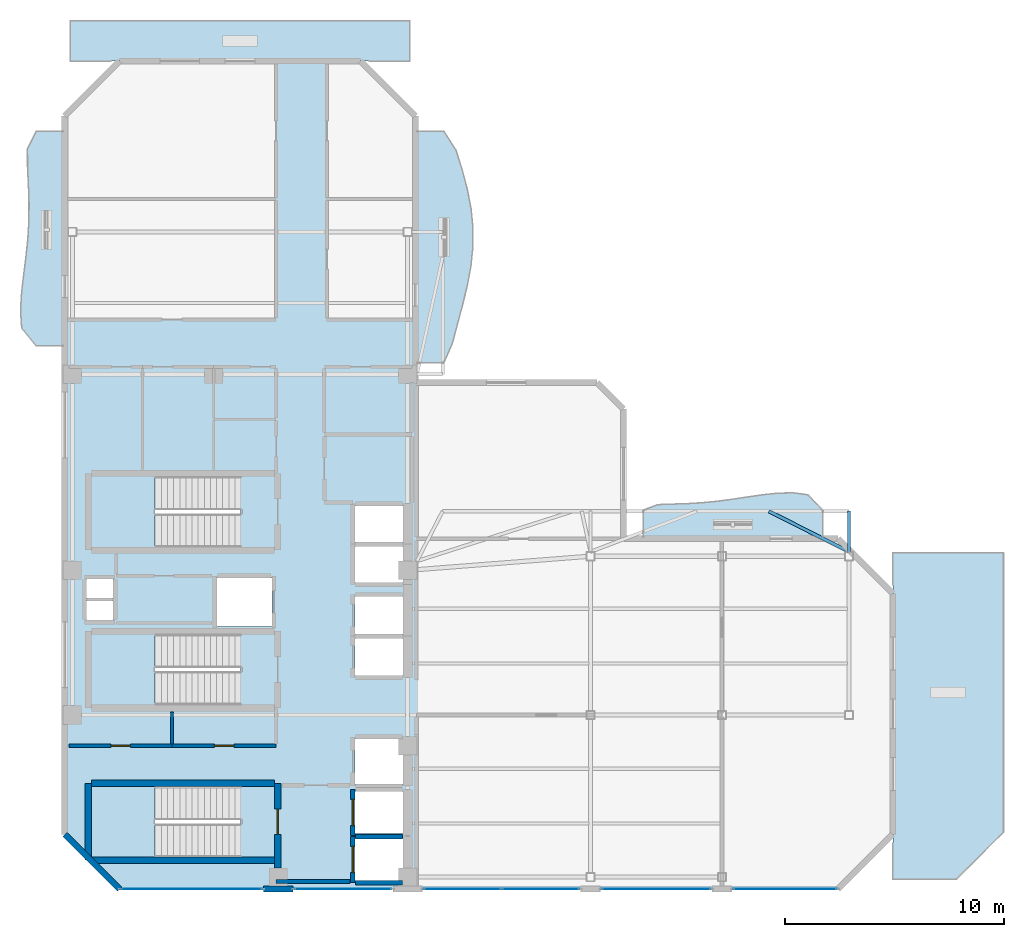
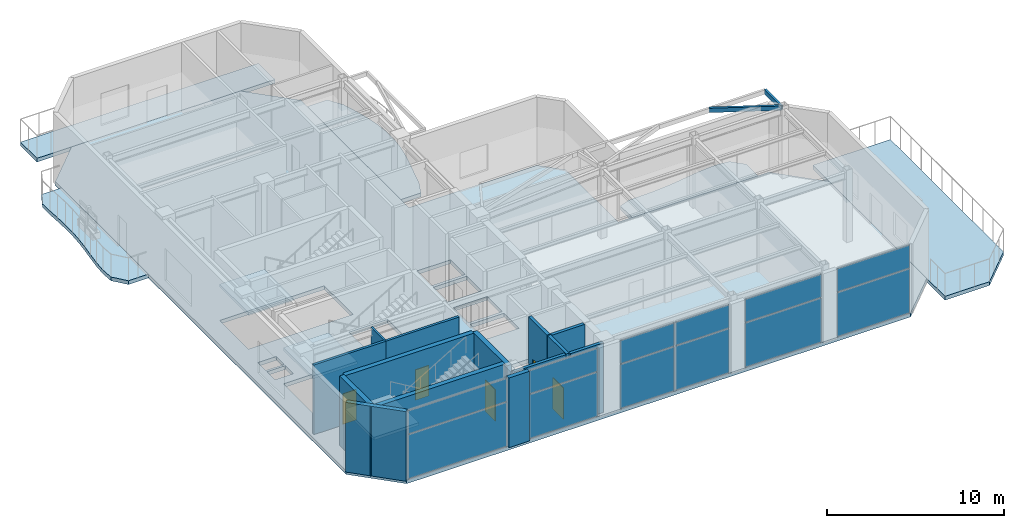
# One storey, part 8 of 14: 14 walls, 12 plates, 9 slabs, 5 doors, 2 beams, 5 openings, 8 elements without a shape of their own.
"""IFC4 building model written with IfcOpenShell, lengths in metres."""

from ifc_helpers import new_model, si_unit, direction, frame, frame_2d, origin, origin_2d, place, context, subcontext, project, spatial, polyline, rectangle, hollow_rectangle, outline, extrude, material, layer, layer_set, material_profile, profile_set, type_object, element, fill, aggregate, save


model = new_model("IFC4")

# Units and contexts
model_context = context("Model", 3, precision=1e-05, world=origin(), true_north=direction((0.0, 1.0)))
body_context = subcontext(model_context, "Body", "Model", "MODEL_VIEW")
ifc_project = project(units=[si_unit("LENGTHUNIT", "METRE"), si_unit("AREAUNIT", "SQUARE_METRE"), si_unit("VOLUMEUNIT", "CUBIC_METRE"), si_unit("PLANEANGLEUNIT", "RADIAN"), si_unit("MASSUNIT", "GRAM", prefix="KILO")], contexts=[model_context])

# Site, building, storey
site_placement = place(None, origin())
site = spatial("IfcSite", under=ifc_project, at=site_placement, CompositionType="ELEMENT")
building_placement = place(site_placement, origin())
building = spatial("IfcBuilding", under=site, at=building_placement, Name="Mawjaban Terraces University", CompositionType="ELEMENT")
storey_placement = place(building_placement, frame((0.0, 0.0, 243.199951171875)))
storey = spatial("IfcBuildingStorey", under=building, at=storey_placement, Name="L59", CompositionType="ELEMENT", Elevation=243.199951171875)

# Beams
ifc_material_1 = material(Name="Steel EN 10210-1 S355J2H", Category="steel")
ifc_material_profile = material_profile(ifc_material_1, hollow_rectangle(XDim=0.14990234375, YDim=0.300048828125, WallThickness=0.012451171875, at=origin_2d()), Name="RHS300X150X12.5")
ifc_profile_set = profile_set([ifc_material_profile], Name="Steel EN 10210-1 S355J2H")
beam_type = type_object("IfcBeamType", Name="BalconyCantileverSpandrel_RHS", PredefinedType="SPANDREL", material=ifc_profile_set)
beam_1_placement = place(storey_placement, frame((57.800048828125, 15.39990234375, 4.64013671875), z_axis=(0.0, 1.0, 0.0), x_axis=(-1.0, 0.0, 0.0)))
element("IfcBeam", 1, at=beam_1_placement, inside=storey, type_object=beam_type, Name="L59 Exterior Outrigger BAL-L60-N.2", PredefinedType="SPANDREL", context=body_context, shape_type="SweptSolid", body=[
    extrude(hollow_rectangle(XDim=0.14990234375, YDim=0.300048828125, WallThickness=0.012451171875, at=origin_2d()), origin(), (0.0, 0.0, 1.0), 1.85009765625),
])
beam_2_placement = place(storey_placement, frame((57.800048828125, 15.39990234375, 4.64013671875), z_axis=(-0.89246609867, 0.451114467431, 0.0), x_axis=(-0.451114467431, -0.89246609867, 0.0)))
element("IfcBeam", 2, at=beam_2_placement, inside=storey, type_object=beam_type, Name="L59 Exterior Diagonal Strut BAL-L60-N.2", PredefinedType="SPANDREL", context=body_context, shape_type="SweptSolid", body=[
    extrude(hollow_rectangle(XDim=0.14990234375, YDim=0.300048828125, WallThickness=0.012451171875, at=origin_2d()), origin(), (0.0, 0.0, 1.0), 4.10107421875),
])

# Slabs
ifc_material_2 = material(Name="Concrete C40/50", Category="concrete")
ifc_layer_1 = layer(ifc_material_2, 0.260009765625)
ifc_layer_set_1 = layer_set([ifc_layer_1], Name="Concrete C40/50")
slab_type_1 = type_object("IfcSlabType", Name="BalconySlab_260_Ext", PredefinedType="FLOOR", material=ifc_layer_set_1)
slab_1_placement = place(storey_placement, frame((0.0, 0.0, -0.260009765625)))
element("IfcSlab", 3, at=slab_1_placement, inside=storey, type_object=slab_type_1, Name="L59 Planted Balcony Slab west", PredefinedType="FLOOR", context=body_context, shape_type="SweptSolid", body=[
    extrude(outline(polyline([(22.010009765625, 24.800048828125), (22.010009765625, 34.60009765625), (20.699951171875, 34.60009765625), (20.297119140625, 33.782958984375), (20.300048828125, 32.967041015625), (20.340087890625, 32.14990234375), (20.368896484375, 31.3330078125), (20.363037109375, 30.51708984375), (20.31591796875, 29.699951171875), (20.23095703125, 28.883056640625), (20.126953125, 28.06689453125), (20.031005859375, 27.25), (19.98095703125, 26.43310546875), (20.032958984375, 25.616943359375), (20.699951171875, 24.800048828125), (22.010009765625, 24.800048828125)])), origin(), (0.0, 0.0, 1.0), 0.260009765625),
])
slab_2_placement = place(storey_placement, frame((0.0, 0.0, -0.260009765625)))
element("IfcSlab", 4, at=slab_2_placement, inside=storey, type_object=slab_type_1, Name="L59 Planted Balcony Slab inner_north", PredefinedType="FLOOR", context=body_context, shape_type="SweptSolid", body=[
    extrude(outline(polyline([(48.39990234375, 15.989990234375), (56.60009765625, 15.989990234375), (56.60009765625, 17.300048828125), (55.9169921875, 18.0029296875), (55.23291015625, 18.090087890625), (54.550048828125, 18.073974609375), (53.866943359375, 18.001953125), (53.18310546875, 17.904052734375), (52.5, 17.800048828125), (51.81689453125, 17.708984375), (51.133056640625, 17.64111328125), (50.449951171875, 17.59912109375), (49.76708984375, 17.576904296875), (49.0830078125, 17.552001953125), (48.39990234375, 17.300048828125), (48.39990234375, 15.989990234375)])), origin(), (0.0, 0.0, 1.0), 0.260009765625),
])
slab_3_placement = place(storey_placement, frame((0.0, 0.0, -0.260009765625)))
element("IfcSlab", 5, at=slab_3_placement, inside=storey, type_object=slab_type_1, Name="L59 Planted Balcony Slab inner_east", PredefinedType="FLOOR", context=body_context, shape_type="SweptSolid", body=[
    extrude(outline(polyline([(39.300048828125, 24.02490234375), (39.69189453125, 24.906005859375), (39.925048828125, 25.787109375), (40.159912109375, 26.6689453125), (40.3740234375, 27.550048828125), (40.5390625, 28.430908203125), (40.6298828125, 29.31201171875), (40.633056640625, 30.194091796875), (40.54296875, 31.074951171875), (40.373046875, 31.9560546875), (40.14111328125, 32.837890625), (39.864013671875, 33.718994140625), (39.300048828125, 34.60009765625), (37.989990234375, 34.60009765625), (37.989990234375, 24.02490234375), (39.300048828125, 24.02490234375)])), origin(), (0.0, 0.0, 1.0), 0.260009765625),
])
ifc_layer_2 = layer(ifc_material_2, 0.260009765625)
ifc_layer_set_2 = layer_set([ifc_layer_2], Name="Concrete C40/50")
slab_type_2 = type_object("IfcSlabType", Name="DiaphragmSlab_260", PredefinedType="FLOOR", material=ifc_layer_set_2)
slab_4_placement = place(storey_placement, frame((0.0, 0.0, -0.260009765625)))
element("IfcSlab", 6, at=slab_4_placement, inside=storey, type_object=slab_type_2, Name="L59 Primary Structural Slab", PredefinedType="FLOOR", context=body_context, shape_type="SweptSolid", body=[
    extrude(outline(polyline([(24.5, 0.0), (57.300048828125, 0.0), (59.800048828125, 2.5), (59.800048828125, 13.5), (57.300048828125, 16.0), (47.5, 16.0), (47.5, 21.925048828125), (46.300048828125, 23.125), (38.0, 23.125), (38.0, 35.300048828125), (35.5, 37.800048828125), (24.5, 37.800048828125), (22.0, 35.300048828125), (22.0, 2.5), (24.5, 0.0)]), holes=[polyline([(30.014892578125, 4.699951171875), (23.199951171875, 4.699951171875), (23.199951171875, 1.449951171875), (30.014892578125, 1.449951171875), (30.014892578125, 4.699951171875)]), polyline([(30.014892578125, 18.85009765625), (23.199951171875, 18.85009765625), (23.199951171875, 15.60009765625), (30.014892578125, 15.60009765625), (30.014892578125, 18.85009765625)]), polyline([(30.014892578125, 11.64990234375), (23.199951171875, 11.64990234375), (23.199951171875, 8.39990234375), (30.014892578125, 8.39990234375), (30.014892578125, 11.64990234375)]), polyline([(35.25, 0.39990234375), (37.449951171875, 0.39990234375), (37.449951171875, 2.300048828125), (35.25, 2.300048828125), (35.25, 0.39990234375)]), polyline([(35.25, 2.550048828125), (37.449951171875, 2.550048828125), (37.449951171875, 4.449951171875), (35.25, 4.449951171875), (35.25, 2.550048828125)]), polyline([(35.25, 4.800048828125), (37.449951171875, 4.800048828125), (37.449951171875, 6.85009765625), (35.25, 6.85009765625), (35.25, 4.800048828125)]), polyline([(35.25, 9.75), (37.449951171875, 9.75), (37.449951171875, 11.449951171875), (35.25, 11.449951171875), (35.25, 9.75)]), polyline([(35.25, 11.64990234375), (37.449951171875, 11.64990234375), (37.449951171875, 13.35009765625), (35.25, 13.35009765625), (35.25, 11.64990234375)]), polyline([(28.949951171875, 12.0), (31.449951171875, 12.0), (31.449951171875, 14.199951171875), (28.949951171875, 14.199951171875), (28.949951171875, 12.0)]), polyline([(35.25, 14.0), (37.449951171875, 14.0), (37.449951171875, 15.64990234375), (35.25, 15.64990234375), (35.25, 14.0)]), polyline([(35.25, 15.85009765625), (37.449951171875, 15.85009765625), (37.449951171875, 17.5), (35.25, 17.5), (35.25, 15.85009765625)]), polyline([(23.0, 12.25), (24.199951171875, 12.25), (24.199951171875, 13.14990234375), (23.0, 13.14990234375), (23.0, 12.25)]), polyline([(23.0, 13.300048828125), (24.199951171875, 13.300048828125), (24.199951171875, 14.179931640625), (23.0, 14.179931640625), (23.0, 13.300048828125)])]), origin(), (0.0, 0.0, 1.0), 0.260009765625),
])

# Stair, slab
stair_type = type_object("IfcStairType", Name="Stair_Core1550_H50", PredefinedType="HALF_TURN_STAIR", material=ifc_material_2)
stair_1_placement = place(storey_placement, origin())
stair_1 = element("IfcStair", 7, at=stair_1_placement, inside=storey, type_object=stair_type, Name="L59 Core Exit Stair 1", PredefinedType="HALF_TURN_STAIR")
ifc_layer_3 = layer(ifc_material_2, 0.199951171875)
ifc_layer_set_3 = layer_set([ifc_layer_3], Name="Concrete C40/50")
slab_type_3 = type_object("IfcSlabType", Name="StairLandingSlab_200", PredefinedType="LANDING", material=ifc_layer_set_3)
slab_5_placement = place(storey_placement, frame((0.0, 0.0, 2.300048828125)))
slab_5 = element("IfcSlab", 8, at=slab_5_placement, type_object=slab_type_3, Name="ST-1 landing 1", PredefinedType="LANDING", context=body_context, shape_type="SweptSolid", body=[
    extrude(outline(polyline([(26.1298828125, 4.699951171875), (23.199951171875, 4.699951171875), (23.199951171875, 1.449951171875), (26.1298828125, 1.449951171875), (26.1298828125, 4.699951171875)])), origin(), (0.0, 0.0, 1.0), 0.199951171875),
])
aggregate(stair_1, [slab_5])

stair_2_placement = place(storey_placement, origin())
stair_2 = element("IfcStair", 9, at=stair_2_placement, inside=storey, type_object=stair_type, Name="L59 Core Exit Stair 2", PredefinedType="HALF_TURN_STAIR")
slab_6_placement = place(storey_placement, frame((0.0, 0.0, 2.300048828125)))
slab_6 = element("IfcSlab", 10, at=slab_6_placement, type_object=slab_type_3, Name="ST-2 landing 1", PredefinedType="LANDING", context=body_context, shape_type="SweptSolid", body=[
    extrude(outline(polyline([(26.1298828125, 18.85009765625), (23.199951171875, 18.85009765625), (23.199951171875, 15.60009765625), (26.1298828125, 15.60009765625), (26.1298828125, 18.85009765625)])), origin(), (0.0, 0.0, 1.0), 0.199951171875),
])
aggregate(stair_2, [slab_6])

stair_3_placement = place(storey_placement, origin())
stair_3 = element("IfcStair", 11, at=stair_3_placement, inside=storey, type_object=stair_type, Name="L59 Core Exit Stair 3", PredefinedType="HALF_TURN_STAIR")
slab_7_placement = place(storey_placement, frame((0.0, 0.0, 2.300048828125)))
slab_7 = element("IfcSlab", 12, at=slab_7_placement, type_object=slab_type_3, Name="ST-3 landing 1", PredefinedType="LANDING", context=body_context, shape_type="SweptSolid", body=[
    extrude(outline(polyline([(26.1298828125, 11.64990234375), (23.199951171875, 11.64990234375), (23.199951171875, 8.39990234375), (26.1298828125, 8.39990234375), (26.1298828125, 11.64990234375)])), origin(), (0.0, 0.0, 1.0), 0.199951171875),
])
aggregate(stair_3, [slab_7])

# Slabs
ifc_layer_4 = layer(ifc_material_2, 0.260009765625)
ifc_layer_set_4 = layer_set([ifc_layer_4], Name="Concrete C40/50")
slab_type_4 = type_object("IfcSlabType", Name="TerraceRoofSlab_260_Ext", PredefinedType="ROOF", material=ifc_layer_set_4)
slab_8_placement = place(storey_placement, frame((0.0, 0.0, -0.260009765625)))
element("IfcSlab", 13, at=slab_8_placement, inside=storey, type_object=slab_type_4, Name="L59 Exterior Setback Terrace Slab", PredefinedType="ROOF", context=body_context, shape_type="SweptSolid", body=[
    extrude(outline(polyline([(59.800048828125, 0.449951171875), (62.699951171875, 0.449951171875), (64.85009765625, 2.60009765625), (64.85009765625, 15.35009765625), (59.800048828125, 15.35009765625), (59.800048828125, 0.449951171875)])), origin(), (0.0, 0.0, 1.0), 0.260009765625),
])
slab_9_placement = place(storey_placement, frame((0.0, 0.0, -0.260009765625)))
element("IfcSlab", 14, at=slab_9_placement, inside=storey, type_object=slab_type_4, Name="L59 Exterior Setback Terrace Slab", PredefinedType="ROOF", context=body_context, shape_type="SweptSolid", body=[
    extrude(outline(polyline([(22.25, 37.800048828125), (37.75, 37.800048828125), (37.75, 39.64990234375), (22.25, 39.64990234375), (22.25, 37.800048828125)])), origin(), (0.0, 0.0, 1.0), 0.260009765625),
])

# Curtain wall, plates
ifc_material_3 = material(Name="Anodised aluminium 6063-T6 and solar-control low-E glass", Category="aluminium")
ifc_layer_5 = layer(ifc_material_3, 0.18994140625)
ifc_layer_set_5 = layer_set([ifc_layer_5], Name="Anodised aluminium 6063-T6 and solar-control low-E glass")
curtain_wall_type = type_object("IfcCurtainWallType", Name="CWSystem_05_SkyLobby", PredefinedType="NOTDEFINED", material=ifc_layer_set_5)
curtain_wall_1_placement = place(storey_placement, origin())
curtain_wall_1 = element("IfcCurtainWall", 15, at=curtain_wall_1_placement, inside=storey, type_object=curtain_wall_type, Name="L59 Curtain Wall CW-05 Run 1.1", PredefinedType="NOTDEFINED")
ifc_material_4 = material(Name="Low-E solar-control double glazing", Category="glass")
ifc_layer_6 = layer(ifc_material_4, 0.033935546875)
ifc_layer_set_6 = layer_set([ifc_layer_6], Name="Low-E solar-control double glazing")
plate_type = type_object("IfcPlateType", Name="VisionPanel_CW-05", PredefinedType="CURTAIN_PANEL", material=ifc_layer_set_6)
plate_1_placement = place(storey_placement, frame((27.78759765625, 0.0, 0.06005859375), z_axis=(0.0, 0.0, 1.0), x_axis=(1.0, 0.0, 0.0)))
plate_1 = element("IfcPlate", 16, at=plate_1_placement, type_object=plate_type, Name="CW-05 panel 1.1", PredefinedType="CURTAIN_PANEL", context=body_context, shape_type="SweptSolid", body=[
    extrude(rectangle(XDim=6.445068359375, YDim=0.028076171875, at=origin_2d()), origin(), (0.0, 0.0, 1.0), 3.02392578125),
])
plate_2_placement = place(storey_placement, frame((27.78759765625, 0.0, 3.14404296875), z_axis=(0.0, 0.0, 1.0), x_axis=(1.0, 0.0, 0.0)))
plate_2 = element("IfcPlate", 17, at=plate_2_placement, type_object=plate_type, Name="CW-05 panel 1.2", PredefinedType="CURTAIN_PANEL", context=body_context, shape_type="SweptSolid", body=[
    extrude(rectangle(XDim=6.445068359375, YDim=0.028076171875, at=origin_2d()), origin(), (0.0, 0.0, 1.0), 1.5859375),
])
aggregate(curtain_wall_1, [plate_1, plate_2])

curtain_wall_2_placement = place(storey_placement, origin())
curtain_wall_2 = element("IfcCurtainWall", 18, at=curtain_wall_2_placement, inside=storey, type_object=curtain_wall_type, Name="L59 Curtain Wall CW-05 Run 1.2", PredefinedType="NOTDEFINED")
plate_3_placement = place(storey_placement, frame((34.699951171875, 0.0, 0.06005859375), z_axis=(0.0, 0.0, 1.0), x_axis=(1.0, 0.0, 0.0)))
plate_3 = element("IfcPlate", 19, at=plate_3_placement, type_object=plate_type, Name="CW-05 panel 1.1", PredefinedType="CURTAIN_PANEL", context=body_context, shape_type="SweptSolid", body=[
    extrude(rectangle(XDim=4.419921875, YDim=0.028076171875, at=origin_2d()), origin(), (0.0, 0.0, 1.0), 3.02392578125),
])
plate_4_placement = place(storey_placement, frame((34.699951171875, 0.0, 3.14404296875), z_axis=(0.0, 0.0, 1.0), x_axis=(1.0, 0.0, 0.0)))
plate_4 = element("IfcPlate", 20, at=plate_4_placement, type_object=plate_type, Name="CW-05 panel 1.2", PredefinedType="CURTAIN_PANEL", context=body_context, shape_type="SweptSolid", body=[
    extrude(rectangle(XDim=4.419921875, YDim=0.028076171875, at=origin_2d()), origin(), (0.0, 0.0, 1.0), 1.5859375),
])
aggregate(curtain_wall_2, [plate_3, plate_4])

curtain_wall_3_placement = place(storey_placement, origin())
curtain_wall_3 = element("IfcCurtainWall", 21, at=curtain_wall_3_placement, inside=storey, type_object=curtain_wall_type, Name="L59 Curtain Wall CW-05 Run 1.3", PredefinedType="NOTDEFINED")
plate_5_placement = place(storey_placement, frame((40.1474609375, 0.0, 0.06005859375), z_axis=(0.0, 0.0, 1.0), x_axis=(1.0, 0.0, 0.0)))
plate_5 = element("IfcPlate", 22, at=plate_5_placement, type_object=plate_type, Name="CW-05 panel 1.1", PredefinedType="CURTAIN_PANEL", context=body_context, shape_type="SweptSolid", body=[
    extrude(rectangle(XDim=3.514892578125, YDim=0.028076171875, at=origin_2d()), origin(), (0.0, 0.0, 1.0), 3.02392578125),
])
plate_6_placement = place(storey_placement, frame((40.1474609375, 0.0, 3.14404296875), z_axis=(0.0, 0.0, 1.0), x_axis=(1.0, 0.0, 0.0)))
plate_6 = element("IfcPlate", 23, at=plate_6_placement, type_object=plate_type, Name="CW-05 panel 1.2", PredefinedType="CURTAIN_PANEL", context=body_context, shape_type="SweptSolid", body=[
    extrude(rectangle(XDim=3.514892578125, YDim=0.028076171875, at=origin_2d()), origin(), (0.0, 0.0, 1.0), 1.5859375),
])
plate_7_placement = place(storey_placement, frame((43.7275390625, 0.0, 0.06005859375), z_axis=(0.0, 0.0, 1.0), x_axis=(1.0, 0.0, 0.0)))
plate_7 = element("IfcPlate", 24, at=plate_7_placement, type_object=plate_type, Name="CW-05 panel 2.1", PredefinedType="CURTAIN_PANEL", context=body_context, shape_type="SweptSolid", body=[
    extrude(rectangle(XDim=3.514892578125, YDim=0.028076171875, at=origin_2d()), origin(), (0.0, 0.0, 1.0), 3.02392578125),
])
plate_8_placement = place(storey_placement, frame((43.7275390625, 0.0, 3.14404296875), z_axis=(0.0, 0.0, 1.0), x_axis=(1.0, 0.0, 0.0)))
plate_8 = element("IfcPlate", 25, at=plate_8_placement, type_object=plate_type, Name="CW-05 panel 2.2", PredefinedType="CURTAIN_PANEL", context=body_context, shape_type="SweptSolid", body=[
    extrude(rectangle(XDim=3.514892578125, YDim=0.028076171875, at=origin_2d()), origin(), (0.0, 0.0, 1.0), 1.5859375),
])
aggregate(curtain_wall_3, [plate_5, plate_6, plate_7, plate_8])

curtain_wall_4_placement = place(storey_placement, origin())
curtain_wall_4 = element("IfcCurtainWall", 26, at=curtain_wall_4_placement, inside=storey, type_object=curtain_wall_type, Name="L59 Curtain Wall CW-05 Run 1.4", PredefinedType="NOTDEFINED")
plate_9_placement = place(storey_placement, frame((49.0, 0.0, 0.06005859375), z_axis=(0.0, 0.0, 1.0), x_axis=(1.0, 0.0, 0.0)))
plate_9 = element("IfcPlate", 27, at=plate_9_placement, type_object=plate_type, Name="CW-05 panel 1.1", PredefinedType="CURTAIN_PANEL", context=body_context, shape_type="SweptSolid", body=[
    extrude(rectangle(XDim=4.969970703125, YDim=0.028076171875, at=origin_2d()), origin(), (0.0, 0.0, 1.0), 3.02392578125),
])
plate_10_placement = place(storey_placement, frame((49.0, 0.0, 3.14404296875), z_axis=(0.0, 0.0, 1.0), x_axis=(1.0, 0.0, 0.0)))
plate_10 = element("IfcPlate", 28, at=plate_10_placement, type_object=plate_type, Name="CW-05 panel 1.2", PredefinedType="CURTAIN_PANEL", context=body_context, shape_type="SweptSolid", body=[
    extrude(rectangle(XDim=4.969970703125, YDim=0.028076171875, at=origin_2d()), origin(), (0.0, 0.0, 1.0), 1.5859375),
])
aggregate(curtain_wall_4, [plate_9, plate_10])

curtain_wall_5_placement = place(storey_placement, origin())
curtain_wall_5 = element("IfcCurtainWall", 29, at=curtain_wall_5_placement, inside=storey, type_object=curtain_wall_type, Name="L59 Curtain Wall CW-05 Run 1.5", PredefinedType="NOTDEFINED")
plate_11_placement = place(storey_placement, frame((54.875, 0.0, 0.06005859375), z_axis=(0.0, 0.0, 1.0), x_axis=(1.0, 0.0, 0.0)))
plate_11 = element("IfcPlate", 30, at=plate_11_placement, type_object=plate_type, Name="CW-05 panel 1.1", PredefinedType="CURTAIN_PANEL", context=body_context, shape_type="SweptSolid", body=[
    extrude(rectangle(XDim=4.719970703125, YDim=0.028076171875, at=origin_2d()), origin(), (0.0, 0.0, 1.0), 3.02392578125),
])
plate_12_placement = place(storey_placement, frame((54.875, 0.0, 3.14404296875), z_axis=(0.0, 0.0, 1.0), x_axis=(1.0, 0.0, 0.0)))
plate_12 = element("IfcPlate", 31, at=plate_12_placement, type_object=plate_type, Name="CW-05 panel 1.2", PredefinedType="CURTAIN_PANEL", context=body_context, shape_type="SweptSolid", body=[
    extrude(rectangle(XDim=4.719970703125, YDim=0.028076171875, at=origin_2d()), origin(), (0.0, 0.0, 1.0), 1.5859375),
])
aggregate(curtain_wall_5, [plate_11, plate_12])

# Wall, opening, door
ifc_material_5 = material(Name="Fire-rated gypsum board on steel stud", Category="steel")
ifc_layer_7 = layer(ifc_material_5, 0.159912109375)
ifc_layer_set_7 = layer_set([ifc_layer_7], Name="Fire-rated gypsum board on steel stud")
wall_type_1 = type_object("IfcWallType", Name="CorridorPartition_160", PredefinedType="PARTITIONING", material=ifc_layer_set_7)
wall_1_placement = place(storey_placement, frame((26.89990234375, 6.550048828125, 0.0), z_axis=(0.0, 0.0, 1.0), x_axis=(-1.0, 0.0, 0.0)))
wall_1 = element("IfcWall", 32, at=wall_1_placement, inside=storey, type_object=wall_type_1, Name="L59 Core Washroom Lobby Partition 4", PredefinedType="PARTITIONING", context=body_context, shape_type="SweptSolid", body=[
    extrude(rectangle(XDim=4.699951171875, YDim=0.159912109375, at=frame_2d((2.35009765625, 0.0))), origin(), (0.0, 0.0, 1.0), 4.7900390625),
])
opening_1_placement = place(wall_1_placement, frame((1.909912109375, 0.0, 0.0)))
opening_1 = element("IfcOpeningElement", 33, at=opening_1_placement, cuts=wall_1, Name="Opening ID-088", PredefinedType="OPENING", context=body_context, shape_type="SweptSolid", body=[
    extrude(rectangle(XDim=0.8798828125, YDim=2.10009765625, at=frame_2d((0.43994140625, 1.050048828125))), frame((0.0, 0.08984375, 0.0), z_axis=(0.0, -1.0, 0.0), x_axis=(1.0, 0.0, 0.0)), (0.0, 0.0, 1.0), 0.179931640625),
])
ifc_material_6 = material(Name="Powder-coated steel frame and solid acoustic timber leaf", Category="steel")
door_type_1 = type_object("IfcDoorType", Name="ToiletDoor_880x2100", OperationType="NOTDEFINED", PredefinedType="DOOR", material=ifc_material_6)
door_1_placement = place(opening_1_placement, origin())
door_1 = element("IfcDoor", 34, at=door_1_placement, inside=storey, type_object=door_type_1, Name="L59 Male Toilet Door", OperationType="SINGLE_SWING_RIGHT", OverallHeight=2.10009765625, OverallWidth=0.8798828125, PredefinedType="DOOR", context=body_context, shape_type="SweptSolid", body=[
    extrude(rectangle(XDim=0.8798828125, YDim=2.10009765625, at=frame_2d((0.43994140625, 1.050048828125))), frame((0.0, 0.02490234375, 0.0), z_axis=(0.0, -1.0, 0.0), x_axis=(1.0, 0.0, 0.0)), (0.0, 0.0, 1.0), 0.050048828125),
])
fill(opening_1, door_1)

wall_2_placement = place(storey_placement, frame((31.64990234375, 6.550048828125, 0.0), z_axis=(0.0, 0.0, 1.0), x_axis=(-1.0, 0.0, 0.0)))
wall_2 = element("IfcWall", 35, at=wall_2_placement, inside=storey, type_object=wall_type_1, Name="L59 Core Washroom Lobby Partition 7", PredefinedType="PARTITIONING", context=body_context, shape_type="SweptSolid", body=[
    extrude(rectangle(XDim=4.75, YDim=0.159912109375, at=frame_2d((2.375, 0.0))), origin(), (0.0, 0.0, 1.0), 4.7900390625),
])
opening_2_placement = place(wall_2_placement, frame((1.93505859375, 0.0, 0.0)))
opening_2 = element("IfcOpeningElement", 36, at=opening_2_placement, cuts=wall_2, Name="Opening ID-088", PredefinedType="OPENING", context=body_context, shape_type="SweptSolid", body=[
    extrude(rectangle(XDim=0.8798828125, YDim=2.10009765625, at=frame_2d((0.43994140625, 1.050048828125))), frame((0.0, 0.08984375, 0.0), z_axis=(0.0, -1.0, 0.0), x_axis=(1.0, 0.0, 0.0)), (0.0, 0.0, 1.0), 0.179931640625),
])
door_2_placement = place(opening_2_placement, origin())
door_2 = element("IfcDoor", 37, at=door_2_placement, inside=storey, type_object=door_type_1, Name="L59 Accessible Toilet Door", OperationType="SINGLE_SWING_LEFT", OverallHeight=2.10009765625, OverallWidth=0.8798828125, PredefinedType="DOOR", context=body_context, shape_type="SweptSolid", body=[
    extrude(rectangle(XDim=0.8798828125, YDim=2.10009765625, at=frame_2d((0.43994140625, 1.050048828125))), frame((0.0, 0.02490234375, 0.0), z_axis=(0.0, -1.0, 0.0), x_axis=(1.0, 0.0, 0.0)), (0.0, 0.0, 1.0), 0.050048828125),
])
fill(opening_2, door_2)

# Walls
ifc_material_7 = material(Name="Insulated terracotta rainscreen on concrete backup C40/50", Category="masonry")
ifc_layer_8 = layer(ifc_material_7, 0.27490234375)
ifc_layer_set_8 = layer_set([ifc_layer_8], Name="Insulated terracotta rainscreen on concrete backup C40/50")
wall_type_2 = type_object("IfcWallType", Name="ExtTerracottaWall_275", PredefinedType="SOLIDWALL", material=ifc_layer_set_8)
wall_3_placement = place(storey_placement, frame((31.074951171875, 0.0, 0.0), z_axis=(0.0, 0.0, 1.0), x_axis=(1.0, 0.0, 0.0)))
element("IfcWall", 38, at=wall_3_placement, inside=storey, type_object=wall_type_2, Name="L59 Exterior Terracotta Pier Wall 1.1", PredefinedType="SOLIDWALL", context=body_context, shape_type="SweptSolid", body=[
    extrude(rectangle(XDim=1.35009765625, YDim=0.27490234375, at=frame_2d((0.675048828125, 0.0))), origin(), (0.0, 0.0, 1.0), 4.7900390625),
])
wall_4_placement = place(storey_placement, frame((22.0, 2.5, 0.0), z_axis=(0.0, 0.0, 1.0), x_axis=(0.707106781187, -0.707106781187, 0.0)))
element("IfcWall", 39, at=wall_4_placement, inside=storey, type_object=wall_type_2, Name="L59 Exterior Terracotta Wall 14", PredefinedType="SOLIDWALL", context=body_context, shape_type="SweptSolid", body=[
    extrude(rectangle(XDim=3.53564453125, YDim=0.27490234375, at=frame_2d((1.767822265625, 0.0))), origin(), (0.0, 0.0, 1.0), 4.7900390625),
])

# Wall, opening, door
ifc_layer_9 = layer(ifc_material_2, 0.199951171875)
ifc_layer_set_9 = layer_set([ifc_layer_9], Name="Concrete C40/50")
wall_type_3 = type_object("IfcWallType", Name="FireLobbyWall_200", PredefinedType="SOLIDWALL", material=ifc_layer_set_9)
wall_5_placement = place(storey_placement, frame((35.14990234375, 2.39990234375, 0.0), z_axis=(0.0, 0.0, 1.0), x_axis=(0.0, -1.0, 0.0)))
wall_5 = element("IfcWall", 40, at=wall_5_placement, inside=storey, type_object=wall_type_3, Name="L59 Lift FL-1 Hoistway Wall West", PredefinedType="SOLIDWALL", context=body_context, shape_type="SweptSolid", body=[
    extrude(rectangle(XDim=2.099853515625, YDim=0.199951171875, at=frame_2d((1.0498046875, 0.0))), origin(), (0.0, 0.0, 1.0), 4.7900390625),
])
opening_3_placement = place(wall_5_placement, frame((0.449951171875, 0.0, 0.0)))
opening_3 = element("IfcOpeningElement", 41, at=opening_3_placement, cuts=wall_5, Name="Opening LD-FL-1", PredefinedType="OPENING", context=body_context, shape_type="SweptSolid", body=[
    extrude(rectangle(XDim=1.199951171875, YDim=2.14990234375, at=frame_2d((0.60009765625, 1.074951171875))), frame((0.0, 0.10986328125, 0.0), z_axis=(0.0, -1.0, 0.0), x_axis=(1.0, 0.0, 0.0)), (0.0, 0.0, 1.0), 0.219970703125),
])
ifc_material_8 = material(Name="Powder-coated steel frame and fire-rated steel-faced leaf", Category="steel")
door_type_2 = type_object("IfcDoorType", Name="LiftLandingFSAE_1200x2150", OperationType="NOTDEFINED", PredefinedType="DOOR", material=ifc_material_8)
door_3_placement = place(opening_3_placement, origin())
door_3 = element("IfcDoor", 42, at=door_3_placement, inside=storey, type_object=door_type_2, Name="L59 Lift FL-1 Sliding Landing Door", OperationType="DOUBLE_DOOR_SLIDING", OverallHeight=2.14990234375, OverallWidth=1.199951171875, PredefinedType="DOOR", context=body_context, shape_type="SweptSolid", body=[
    extrude(rectangle(XDim=1.199951171875, YDim=2.14990234375, at=frame_2d((0.60009765625, 1.074951171875))), frame((0.0, 0.02490234375, 0.0), z_axis=(0.0, -1.0, 0.0), x_axis=(1.0, 0.0, 0.0)), (0.0, 0.0, 1.0), 0.050048828125),
])
fill(opening_3, door_3)

# Walls
for number, where, z_axis, x_axis, name in (
    (43, (35.280029296875, 0.300048828125, 0.0), (0.0, 0.0, 1.0), (1.0, 0.0, 0.0), "L59 Lift FL-1 Hoistway Wall South"),
    (44, (37.419921875, 2.39990234375, 0.0), (0.0, 0.0, 1.0), (-1.0, 0.0, 0.0), "L59 Lift FL-1 Hoistway Wall North"),
):
    element("IfcWall", number, at=place(storey_placement, frame(where, z_axis=z_axis, x_axis=x_axis)), inside=storey, type_object=wall_type_3, Name=name, PredefinedType="SOLIDWALL", context=body_context, shape_type="SweptSolid", body=[
        extrude(rectangle(XDim=2.139892578125, YDim=0.199951171875, at=frame_2d((1.06982421875, 0.0))), origin(), (0.0, 0.0, 1.0), 4.7900390625),
    ])

# Wall, opening, door
wall_6_placement = place(storey_placement, frame((35.14990234375, 4.550048828125, 0.0), z_axis=(0.0, 0.0, 1.0), x_axis=(0.0, -1.0, 0.0)))
wall_6 = element("IfcWall", 45, at=wall_6_placement, inside=storey, type_object=wall_type_3, Name="L59 Lift FL-2 Hoistway Wall West", PredefinedType="SOLIDWALL", context=body_context, shape_type="SweptSolid", body=[
    extrude(rectangle(XDim=2.10009765625, YDim=0.199951171875, at=frame_2d((1.050048828125, 0.0))), origin(), (0.0, 0.0, 1.0), 4.7900390625),
])
opening_4_placement = place(wall_6_placement, frame((0.449951171875, 0.0, 0.0)))
opening_4 = element("IfcOpeningElement", 46, at=opening_4_placement, cuts=wall_6, Name="Opening LD-FL-2", PredefinedType="OPENING", context=body_context, shape_type="SweptSolid", body=[
    extrude(rectangle(XDim=1.199951171875, YDim=2.14990234375, at=frame_2d((0.60009765625, 1.074951171875))), frame((0.0, 0.10986328125, 0.0), z_axis=(0.0, -1.0, 0.0), x_axis=(1.0, 0.0, 0.0)), (0.0, 0.0, 1.0), 0.219970703125),
])
door_4_placement = place(opening_4_placement, origin())
door_4 = element("IfcDoor", 47, at=door_4_placement, inside=storey, type_object=door_type_2, Name="L59 Lift FL-2 Sliding Landing Door", OperationType="DOUBLE_DOOR_SLIDING", OverallHeight=2.14990234375, OverallWidth=1.199951171875, PredefinedType="DOOR", context=body_context, shape_type="SweptSolid", body=[
    extrude(rectangle(XDim=1.199951171875, YDim=2.14990234375, at=frame_2d((0.60009765625, 1.074951171875))), frame((0.0, 0.02490234375, 0.0), z_axis=(0.0, -1.0, 0.0), x_axis=(1.0, 0.0, 0.0)), (0.0, 0.0, 1.0), 0.050048828125),
])
fill(opening_4, door_4)

# Walls
wall_7_placement = place(storey_placement, frame((31.64990234375, 0.35009765625, 0.0), z_axis=(0.0, 0.0, 1.0), x_axis=(1.0, 0.0, 0.0)))
element("IfcWall", 48, at=wall_7_placement, inside=storey, type_object=wall_type_3, Name="L59 Firefighting Lift Lobby Partition 6", PredefinedType="SOLIDWALL", context=body_context, shape_type="SweptSolid", body=[
    extrude(rectangle(XDim=3.3701171875, YDim=0.199951171875, at=frame_2d((1.68505859375, 0.0))), origin(), (0.0, 0.0, 1.0), 4.7900390625),
])
ifc_material_9 = material(Name="Concrete C60/75", Category="concrete")
ifc_layer_10 = layer(ifc_material_9, 0.300048828125)
ifc_layer_set_10 = layer_set([ifc_layer_10], Name="Concrete C60/75")
wall_type_4 = type_object("IfcWallType", Name="StairShaftWall_300", PredefinedType="SHEAR", material=ifc_layer_set_10)
wall_8_placement = place(storey_placement, frame((31.580078125, 4.830078125, 0.0), z_axis=(0.0, 0.0, 1.0), x_axis=(-1.0, 0.0, 0.0)))
element("IfcWall", 49, at=wall_8_placement, inside=storey, type_object=wall_type_4, Name="L59 ST-1 Stair Shaft Wall 1", PredefinedType="SHEAR", context=body_context, shape_type="SweptSolid", body=[
    extrude(rectangle(XDim=8.360107421875, YDim=0.300048828125, at=frame_2d((4.18017578125, 0.0))), origin(), (0.0, 0.0, 1.0), 4.7900390625),
])
wall_9_placement = place(storey_placement, frame((23.070068359375, 4.830078125, 0.0), z_axis=(0.0, 0.0, 1.0), x_axis=(0.0, -1.0, 0.0)))
element("IfcWall", 50, at=wall_9_placement, inside=storey, type_object=wall_type_4, Name="L59 ST-1 Stair Shaft Wall 2", PredefinedType="SHEAR", context=body_context, shape_type="SweptSolid", body=[
    extrude(rectangle(XDim=3.510009765625, YDim=0.300048828125, at=frame_2d((1.7548828125, 0.0))), origin(), (0.0, 0.0, 1.0), 4.7900390625),
])
wall_10_placement = place(storey_placement, frame((23.219970703125, 1.320068359375, 0.0), z_axis=(0.0, 0.0, 1.0), x_axis=(1.0, 0.0, 0.0)))
element("IfcWall", 51, at=wall_10_placement, inside=storey, type_object=wall_type_4, Name="L59 ST-1 Stair Shaft Wall 3", PredefinedType="SHEAR", context=body_context, shape_type="SweptSolid", body=[
    extrude(rectangle(XDim=8.360107421875, YDim=0.300048828125, at=frame_2d((4.18017578125, 0.0))), origin(), (0.0, 0.0, 1.0), 4.7900390625),
])

# Wall, opening, door
wall_11_placement = place(storey_placement, frame((31.72998046875, 0.9599609375, 0.0), z_axis=(0.0, 0.0, 1.0), x_axis=(0.0, 1.0, 0.0)))
wall_11 = element("IfcWall", 52, at=wall_11_placement, inside=storey, type_object=wall_type_4, Name="L59 ST-1 Stair Shaft Wall 4", PredefinedType="SHEAR", context=body_context, shape_type="SweptSolid", body=[
    extrude(rectangle(XDim=3.8701171875, YDim=0.300048828125, at=frame_2d((1.93505859375, 0.0))), origin(), (0.0, 0.0, 1.0), 4.7900390625),
])
opening_5_placement = place(wall_11_placement, frame((1.5400390625, 0.0, 0.0)))
opening_5 = element("IfcOpeningElement", 53, at=opening_5_placement, cuts=wall_11, Name="Opening FD-115", PredefinedType="OPENING", context=body_context, shape_type="SweptSolid", body=[
    extrude(rectangle(XDim=1.14990234375, YDim=2.14990234375, at=frame_2d((0.574951171875, 1.074951171875))), frame((0.0, 0.159912109375, 0.0), z_axis=(0.0, -1.0, 0.0), x_axis=(1.0, 0.0, 0.0)), (0.0, 0.0, 1.0), 0.320068359375),
])
door_type_3 = type_object("IfcDoorType", Name="FireStairDoor_1150x2150", OperationType="NOTDEFINED", PredefinedType="DOOR", material=ifc_material_8)
door_5_placement = place(opening_5_placement, origin())
door_5 = element("IfcDoor", 54, at=door_5_placement, inside=storey, type_object=door_type_3, Name="L59 ST-1 Pressurised Stair Fire Door", OperationType="SINGLE_SWING_RIGHT", OverallHeight=2.14990234375, OverallWidth=1.14990234375, PredefinedType="DOOR", context=body_context, shape_type="SweptSolid", body=[
    extrude(rectangle(XDim=1.14990234375, YDim=2.14990234375, at=frame_2d((0.574951171875, 1.074951171875))), frame((0.0, 0.02490234375, 0.0), z_axis=(0.0, -1.0, 0.0), x_axis=(1.0, 0.0, 0.0)), (0.0, 0.0, 1.0), 0.050048828125),
])
fill(opening_5, door_5)

# Wall
ifc_material_10 = material(Name="Cement-board wet-room partition", Category="masonry")
ifc_layer_11 = layer(ifc_material_10, 0.135009765625)
ifc_layer_set_11 = layer_set([ifc_layer_11], Name="Cement-board wet-room partition")
wall_type_5 = type_object("IfcWallType", Name="WetRoomPartition_135", PredefinedType="PARTITIONING", material=ifc_layer_set_11)
wall_12_placement = place(storey_placement, frame((26.89990234375, 6.625, 0.0), z_axis=(0.0, 0.0, 1.0), x_axis=(0.0, 1.0, 0.0)))
element("IfcWall", 55, at=wall_12_placement, inside=storey, type_object=wall_type_5, Name="L59 Male Toilet Partition 22", PredefinedType="PARTITIONING", context=body_context, shape_type="SweptSolid", body=[
    extrude(rectangle(XDim=1.465087890625, YDim=0.135009765625, at=frame_2d((0.732421875, 0.0))), origin(), (0.0, 0.0, 1.0), 4.7900390625),
])

save(model, "model.ifc")
